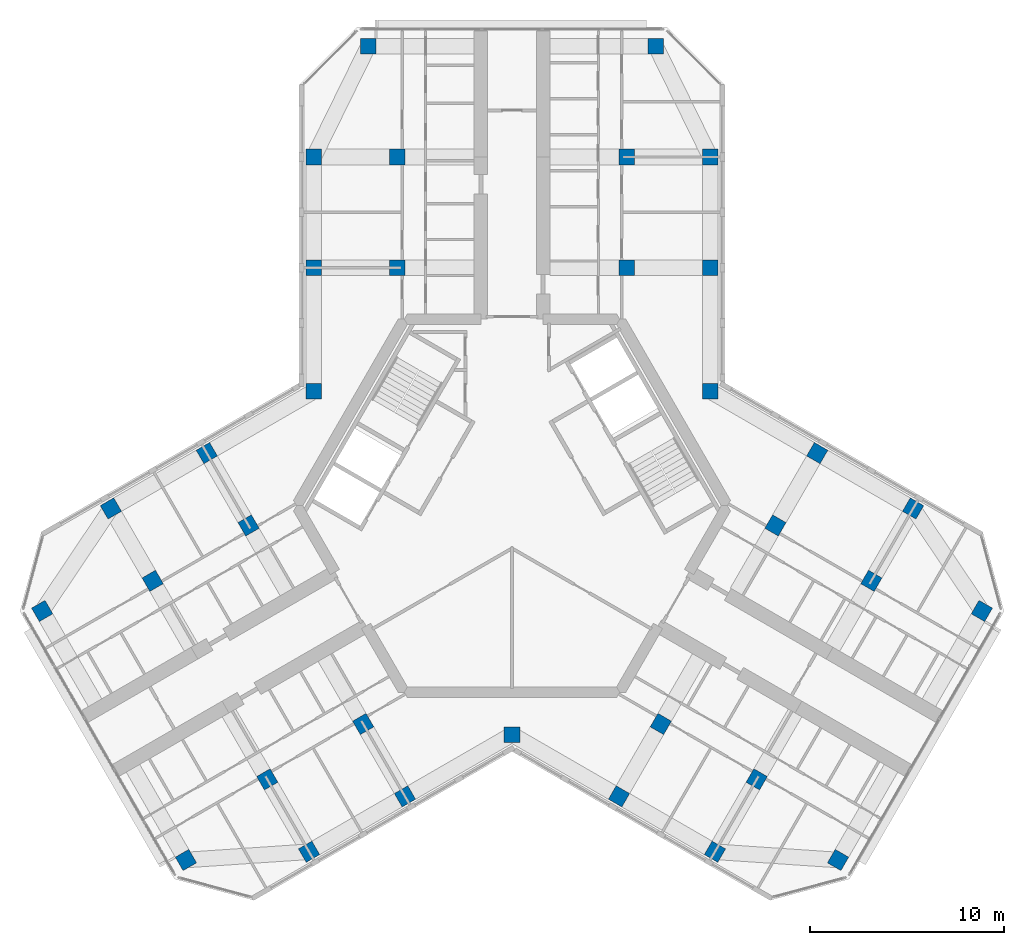
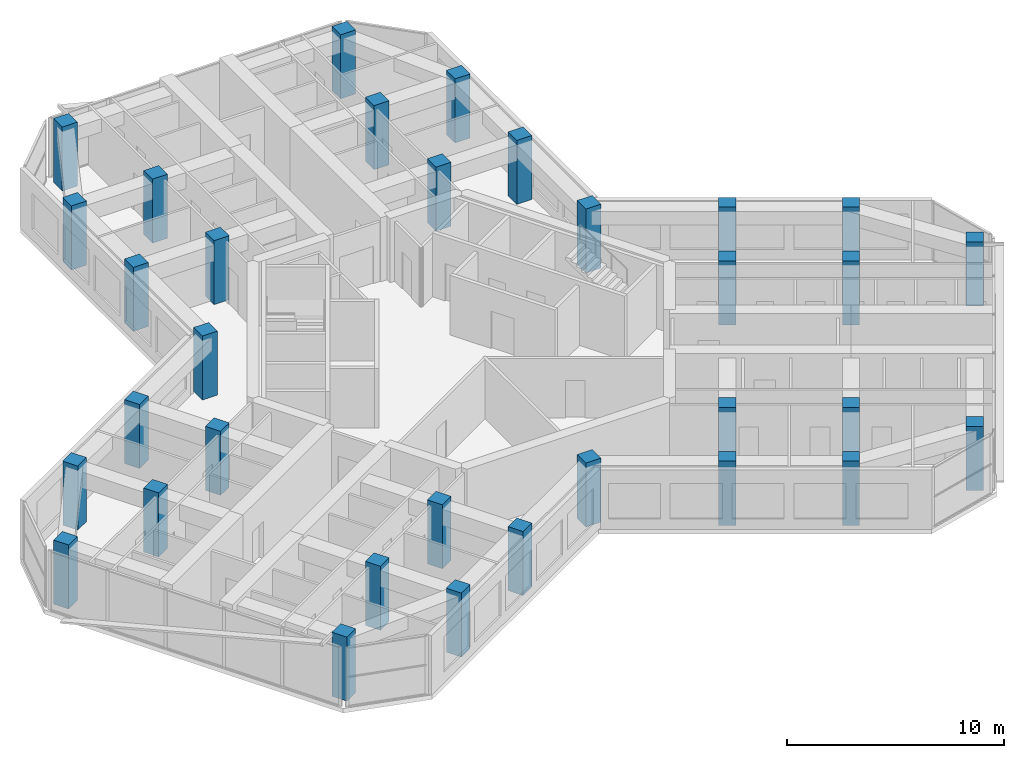
# One storey, part 1 of 14: 33 columns.
"""IFC4 building model written with IfcOpenShell, lengths in metres."""

from ifc_helpers import new_model, si_unit, direction, frame, origin, origin_2d, place, context, subcontext, project, spatial, rectangle, extrude, material, material_profile, profile_set, type_object, element, save


model = new_model("IFC4")

# Units and contexts
model_context = context("Model", 3, precision=1e-05, world=origin(), true_north=direction((0.0, 1.0)))
body_context = subcontext(model_context, "Body", "Model", "MODEL_VIEW")
ifc_project = project(units=[si_unit("LENGTHUNIT", "METRE"), si_unit("AREAUNIT", "SQUARE_METRE"), si_unit("VOLUMEUNIT", "CUBIC_METRE"), si_unit("PLANEANGLEUNIT", "RADIAN"), si_unit("MASSUNIT", "GRAM", prefix="KILO")], contexts=[model_context])

# Site, building, storey
site_placement = place(None, origin())
site = spatial("IfcSite", under=ifc_project, at=site_placement, CompositionType="ELEMENT")
building_placement = place(site_placement, origin())
building = spatial("IfcBuilding", under=site, at=building_placement, Name="Kosmar Iwan School Tower", CompositionType="ELEMENT")
storey_placement = place(building_placement, frame((0.0, 0.0, 278.199951171875)))
storey = spatial("IfcBuildingStorey", under=building, at=storey_placement, Name="L70", CompositionType="ELEMENT", Elevation=278.199951171875)

# Columns
ifc_material_1 = material(Name="Concrete C50/60", Category="concrete")
ifc_material_profile_1 = material_profile(ifc_material_1, rectangle(XDim=0.800048828125, YDim=0.800048828125, at=origin_2d()), Name="RC 800x800 + HE 300 M")
ifc_profile_set_1 = profile_set([ifc_material_profile_1], Name="Concrete C50/60")
column_type_1 = type_object("IfcColumnType", Name="Composite column 800x800 HE 300 M", PredefinedType="COLUMN", material=ifc_profile_set_1)
for number, where, z_axis, x_axis, name in (
    (1, (-10.199951171875, 12.25, 0.0), (0.0, 0.0, 1.0), (0.0, 1.0, 0.0), "Column AL1 L70"),
    (2, (-10.199951171875, 17.949951171875, 0.0), (0.0, 0.0, 1.0), (0.0, 1.0, 0.0), "Column AL2 L70"),
    (3, (-7.39990234375, 23.64990234375, 0.0), (0.0, 0.0, 1.0), (0.0, 1.0, 0.0), "Column ALTIP L70"),
    (4, (10.199951171875, 12.25, 0.0), (0.0, 0.0, 1.0), (0.0, 1.0, 0.0), "Column AR1 L70"),
    (5, (10.199951171875, 17.949951171875, 0.0), (0.0, 0.0, 1.0), (0.0, 1.0, 0.0), "Column AR2 L70"),
    (6, (7.39990234375, 23.64990234375, 0.0), (0.0, 0.0, 1.0), (0.0, 1.0, 0.0), "Column ARTIP L70"),
    (7, (-5.5087890625, -14.95849609375, 0.0), (0.0, 0.0, 1.0), (-0.866025403784, -0.5, 0.0), "Column BL1 L70"),
    (8, (-10.445068359375, -17.808349609375, 0.0), (0.0, 0.0, 1.0), (-0.866025403784, -0.5, 0.0), "Column BL2 L70"),
    (9, (-16.781494140625, -18.233642578125, 0.0), (0.0, 0.0, 1.0), (-0.866025403784, -0.5, 0.0), "Column BLTIP L70"),
    (10, (-15.708740234375, 2.70849609375, 0.0), (0.0, 0.0, 1.0), (-0.866025403784, -0.5, 0.0), "Column BR1 L70"),
    (11, (-20.645263671875, -0.1416015625, 0.0), (0.0, 0.0, 1.0), (-0.866025403784, -0.5, 0.0), "Column BR2 L70"),
    (12, (-24.181396484375, -5.41650390625, 0.0), (0.0, 0.0, 1.0), (-0.866025403784, -0.5, 0.0), "Column BRTIP L70"),
    (13, (15.708740234375, 2.70849609375, 0.0), (0.0, 0.0, 1.0), (0.866025403784, -0.5, 0.0), "Column CL1 L70"),
    (14, (20.645263671875, -0.1416015625, 0.0), (0.0, 0.0, 1.0), (0.866025403784, -0.5, 0.0), "Column CL2 L70"),
    (15, (24.181396484375, -5.41650390625, 0.0), (0.0, 0.0, 1.0), (0.866025403784, -0.5, 0.0), "Column CLTIP L70"),
    (16, (5.5087890625, -14.95849609375, 0.0), (0.0, 0.0, 1.0), (0.866025403784, -0.5, 0.0), "Column CR1 L70"),
    (17, (10.445068359375, -17.808349609375, 0.0), (0.0, 0.0, 1.0), (0.866025403784, -0.5, 0.0), "Column CR2 L70"),
    (18, (16.781494140625, -18.233642578125, 0.0), (0.0, 0.0, 1.0), (0.866025403784, -0.5, 0.0), "Column CRTIP L70"),
    (19, (-10.199951171875, 5.888916015625, 0.0), (0.0, 0.0, 1.0), (1.0, 0.0, 0.0), "Column RAB L70"),
    (20, (10.199951171875, 5.888916015625, 0.0), (0.0, 0.0, 1.0), (1.0, 0.0, 0.0), "Column RAC L70"),
    (21, (0.0, -11.77783203125, 0.0), (0.0, 0.0, 1.0), (1.0, 0.0, 0.0), "Column RBC L70"),
):
    element("IfcColumn", number, at=place(storey_placement, frame(where, z_axis=z_axis, x_axis=x_axis)), inside=storey, type_object=column_type_1, Name=name, PredefinedType="COLUMN", context=body_context, shape_type="SweptSolid", body=[
        extrude(rectangle(XDim=0.800048828125, YDim=0.800048828125, at=origin_2d()), origin(), (0.0, 0.0, 1.0), 3.60009765625),
    ])
ifc_material_2 = material(Name="Concrete C50/60", Category="concrete")
ifc_material_profile_2 = material_profile(ifc_material_2, rectangle(XDim=0.800048828125, YDim=0.800048828125, at=origin_2d()), Name="RC 800x800")
ifc_profile_set_2 = profile_set([ifc_material_profile_2], Name="Concrete C50/60")
column_type_2 = type_object("IfcColumnType", Name="RC interior column 800x800", PredefinedType="COLUMN", material=ifc_profile_set_2)
for number, where, z_axis, x_axis, name in (
    (22, (-5.89990234375, 12.25, 0.0), (0.0, 0.0, 1.0), (0.0, 1.0, 0.0), "Interior column ALI1 L70"),
    (23, (-5.89990234375, 17.949951171875, 0.0), (0.0, 0.0, 1.0), (0.0, 1.0, 0.0), "Interior column ALI2 L70"),
    (24, (5.89990234375, 12.25, 0.0), (0.0, 0.0, 1.0), (0.0, 1.0, 0.0), "Interior column ARI1 L70"),
    (25, (5.89990234375, 17.949951171875, 0.0), (0.0, 0.0, 1.0), (0.0, 1.0, 0.0), "Interior column ARI2 L70"),
    (26, (-7.65869140625, -11.234619140625, 0.0), (0.0, 0.0, 1.0), (-0.866025403784, -0.5, 0.0), "Interior column BLI1 L70"),
    (27, (-12.59521484375, -14.08447265625, 0.0), (0.0, 0.0, 1.0), (-0.866025403784, -0.5, 0.0), "Interior column BLI2 L70"),
    (28, (-13.558837890625, -1.015380859375, 0.0), (0.0, 0.0, 1.0), (-0.866025403784, -0.5, 0.0), "Interior column BRI1 L70"),
    (29, (-18.4951171875, -3.865478515625, 0.0), (0.0, 0.0, 1.0), (-0.866025403784, -0.5, 0.0), "Interior column BRI2 L70"),
    (30, (13.558837890625, -1.015380859375, 0.0), (0.0, 0.0, 1.0), (0.866025403784, -0.5, 0.0), "Interior column CLI1 L70"),
    (31, (18.4951171875, -3.865478515625, 0.0), (0.0, 0.0, 1.0), (0.866025403784, -0.5, 0.0), "Interior column CLI2 L70"),
    (32, (7.65869140625, -11.234619140625, 0.0), (0.0, 0.0, 1.0), (0.866025403784, -0.5, 0.0), "Interior column CRI1 L70"),
    (33, (12.59521484375, -14.08447265625, 0.0), (0.0, 0.0, 1.0), (0.866025403784, -0.5, 0.0), "Interior column CRI2 L70"),
):
    element("IfcColumn", number, at=place(storey_placement, frame(where, z_axis=z_axis, x_axis=x_axis)), inside=storey, type_object=column_type_2, Name=name, PredefinedType="COLUMN", context=body_context, shape_type="SweptSolid", body=[
        extrude(rectangle(XDim=0.800048828125, YDim=0.800048828125, at=origin_2d()), origin(), (0.0, 0.0, 1.0), 3.60009765625),
    ])

save(model, "model.ifc")
